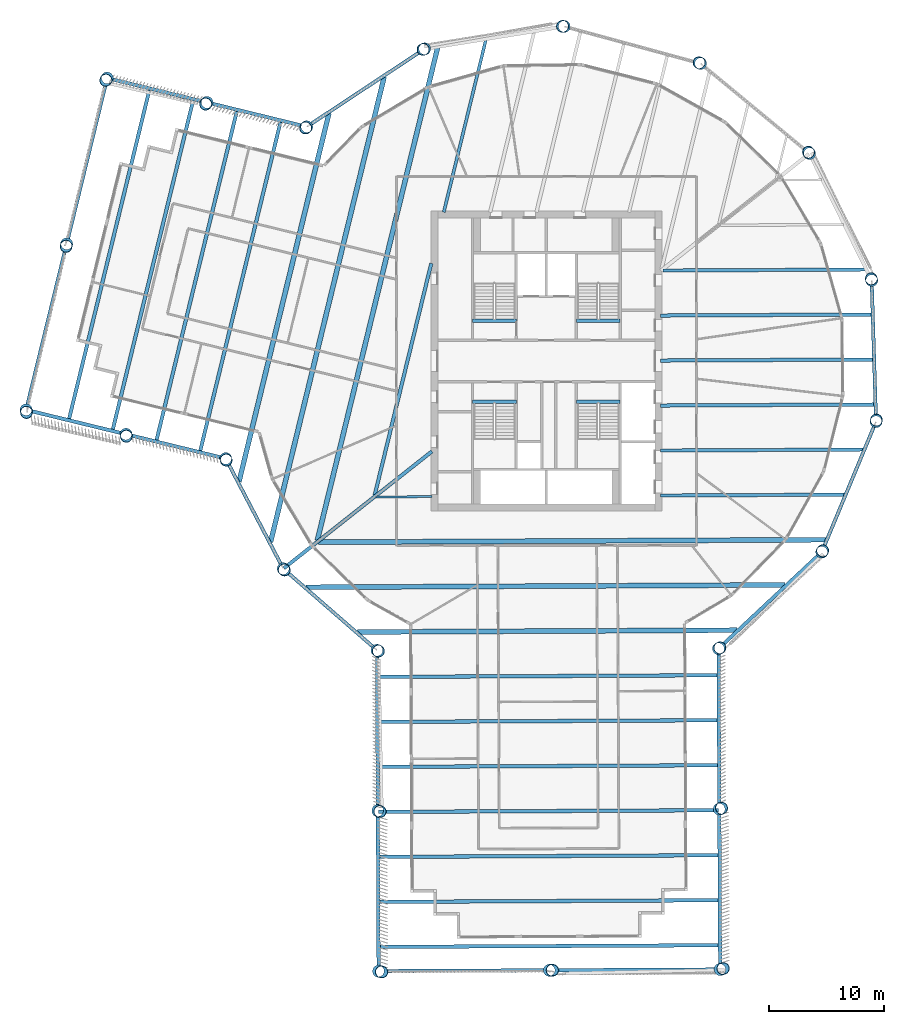
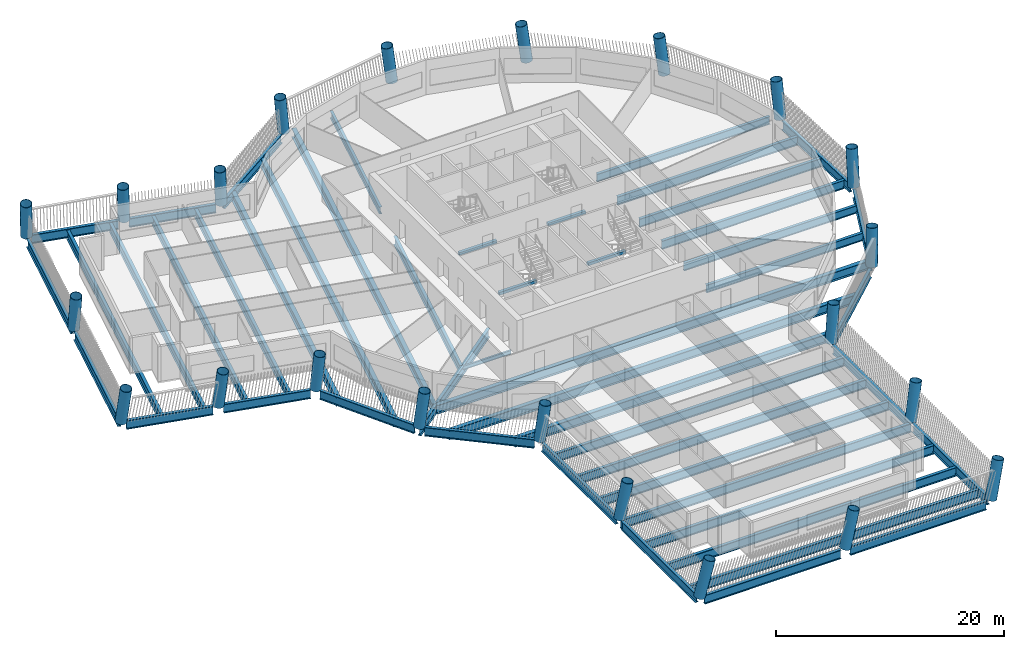
# One storey, part 1 of 15: 49 beams, 22 columns.
"""IFC4 building model written with IfcOpenShell, lengths in metres."""

from ifc_helpers import new_model, si_unit, direction, frame, origin, origin_2d, place, context, subcontext, project, spatial, rectangle, hollow_circle, i_section, extrude, material, material_profile, profile_set, type_object, element, save


model = new_model("IFC4")

# Units and contexts
model_context = context("Model", 3, precision=1e-05, world=origin(), true_north=direction((0.0, 1.0)))
body_context = subcontext(model_context, "Body", "Model", "MODEL_VIEW")
ifc_project = project(units=[si_unit("LENGTHUNIT", "METRE"), si_unit("AREAUNIT", "SQUARE_METRE"), si_unit("VOLUMEUNIT", "CUBIC_METRE"), si_unit("PLANEANGLEUNIT", "RADIAN"), si_unit("MASSUNIT", "GRAM", prefix="KILO")], contexts=[model_context])

# Site, building, storey
site_placement = place(None, origin())
site = spatial("IfcSite", under=ifc_project, at=site_placement, CompositionType="ELEMENT")
building_placement = place(site_placement, origin())
building = spatial("IfcBuilding", under=site, at=building_placement, Name="Tarsis Ring Headquarters", CompositionType="ELEMENT")
storey_placement = place(building_placement, frame((0.0, 0.0, 227.699951171875)))
storey = spatial("IfcBuildingStorey", under=building, at=storey_placement, Name="L53", CompositionType="ELEMENT", Elevation=227.699951171875)

# Columns
ifc_material_1 = material(Name="Structural steel S355", Category="steel")
ifc_material_profile_1 = material_profile(ifc_material_1, hollow_circle(Radius=0.533447265625, WallThickness=0.044921875, at=origin_2d()), Name="CHS 1067x45")
ifc_profile_set_1 = profile_set([ifc_material_profile_1], Name="Structural steel S355")
column_type = type_object("IfcColumnType", Name="XC Exo column CHS 1067x45", PredefinedType="COLUMN", material=ifc_profile_set_1)
for number, where, z_axis, x_axis, name in (
    (1, (-22.802734375, -17.995849609375, 0.001220703125), (0.077507550251, -0.09652704534, 0.99230797093), (0.779740905571, 0.626102324049, 0.0), "Exo column XC5 F1"),
    (2, (-14.677490234375, -25.067626953125, 0.001220703125), (0.107403537456, -0.061657586318, 0.992301779799), (0.497867518553, 0.867253096835, 0.0), "Exo column XC5 AK"),
):
    element("IfcColumn", number, at=place(storey_placement, frame(where, z_axis=z_axis, x_axis=x_axis)), inside=storey, type_object=column_type, Name=name, PredefinedType="COLUMN", context=body_context, shape_type="SweptSolid", body=[
        extrude(hollow_circle(Radius=0.533447265625, WallThickness=0.044921875, at=origin_2d()), origin(), (0.0, 0.0, 1.0), 3.927978515625),
    ])
column_1_placement = place(storey_placement, frame((-14.609619140625, -38.9697265625, 0.00146484375), z_axis=(0.165328992653, -0.060371907425, 0.98438892567), x_axis=(0.343008675328, 0.9393322355, 0.0)))
element("IfcColumn", 3, at=column_1_placement, inside=storey, type_object=column_type, Name="Exo column XC5 AI1", PredefinedType="COLUMN", context=body_context, shape_type="SweptSolid", body=[
    extrude(hollow_circle(Radius=0.533447265625, WallThickness=0.044921875, at=origin_2d()), origin(), (0.0, 0.0, 1.0), 3.958984375),
])
column_2_placement = place(storey_placement, frame((-14.54150390625, -52.871826171875, 0.001708984375), z_axis=(0.221612324998, -0.058970588408, 0.973350115381), x_axis=(0.257149522333, 0.966371627876, 0.0)))
element("IfcColumn", 4, at=column_2_placement, inside=storey, type_object=column_type, Name="Exo column XC5 AT1", PredefinedType="COLUMN", context=body_context, shape_type="SweptSolid", body=[
    extrude(hollow_circle(Radius=0.533447265625, WallThickness=0.044921875, at=origin_2d()), origin(), (0.0, 0.0, 1.0), 4.00341796875),
])
column_3_placement = place(storey_placement, frame((0.25830078125, -52.79931640625, 0.001708984375), z_axis=(0.22124249128, 0.002932791931, 0.975214416825), x_axis=(-0.013254842097, 0.999912150722, 0.0)))
element("IfcColumn", 5, at=column_3_placement, inside=storey, type_object=column_type, Name="Exo column XC5 AT2", PredefinedType="COLUMN", context=body_context, shape_type="SweptSolid", body=[
    extrude(hollow_circle(Radius=0.533447265625, WallThickness=0.044921875, at=origin_2d()), origin(), (0.0, 0.0, 1.0), 3.995849609375),
])
column_4_placement = place(storey_placement, frame((15.058349609375, -52.72705078125, 0.001708984375), z_axis=(0.219908006092, 0.064825904181, 0.973364305388), x_axis=(-0.282756720107, 0.959191658238, 0.0)))
element("IfcColumn", 6, at=column_4_placement, inside=storey, type_object=column_type, Name="Exo column XC5 AT3", PredefinedType="COLUMN", context=body_context, shape_type="SweptSolid", body=[
    extrude(hollow_circle(Radius=0.533447265625, WallThickness=0.044921875, at=origin_2d()), origin(), (0.0, 0.0, 1.0), 4.00341796875),
])
column_5_placement = place(storey_placement, frame((14.990234375, -38.824951171875, 0.00146484375), z_axis=(0.163663327847, 0.064811664494, 0.984384967004), x_axis=(-0.368187260739, 0.929751655567, 0.0)))
element("IfcColumn", 7, at=column_5_placement, inside=storey, type_object=column_type, Name="Exo column XC5 AO1", PredefinedType="COLUMN", context=body_context, shape_type="SweptSolid", body=[
    extrude(hollow_circle(Radius=0.533447265625, WallThickness=0.044921875, at=origin_2d()), origin(), (0.0, 0.0, 1.0), 3.958984375),
])
for number, where, z_axis, x_axis, name in (
    (8, (14.922119140625, -24.9228515625, 0.001220703125), (0.10572519442, 0.064516608941, 0.992300252159), (-0.520901833454, 0.853616588349, 0.0), "Exo column XC5 AJ"),
    (9, (23.868408203125, -16.556396484375, 0.001220703125), (0.069737518907, 0.102368710909, 0.992299010119), (-0.82645021781, 0.563009802297, 0.0), "Exo column XC5 R1"),
    (10, (28.57080078125, -5.24609375, 0.001220703125), (0.021381353441, 0.121948300731, 0.992306126996), (-0.9849750077, 0.172696943246, 0.0), "Exo column XC5 R2"),
    (11, (28.193359375, 6.996826171875, 0.001220703125), (-0.03082874147, 0.119958610963, 0.992300116071), (-0.968527505568, -0.248906550654, 0.0), "Exo column XC5 R3"),
    (12, (22.802734375, 17.995849609375, 0.001220703125), (-0.077507550251, 0.09652704534, 0.99230797093), (-0.779740905571, -0.626102324049, 0.0), "Exo column XC5 R4"),
    (13, (13.35791015625, 25.794921875, 0.001220703125), (-0.11044884973, 0.056063512919, 0.992299316795), (-0.452624840982, -0.891701044816, 0.0), "Exo column XC5 R5"),
    (14, (1.537841796875, 29.0078125, 0.001220703125), (-0.123688585873, 0.005531801077, 0.992305665056), (-0.044678956942, -0.999001396799, 0.0), "Exo column XC5 R6"),
    (15, (-10.5556640625, 27.062744140625, 0.001220703125), (-0.114986743047, -0.045932542223, 0.992304514999), (0.370957900843, -0.928649684113, 0.0), "Exo column XC5 R7"),
    (16, (-20.772216796875, 20.305908203125, 0.001220703125), (-0.085835944359, -0.089254464953, 0.992303295944), (0.720775191607, -0.693168899449, 0.0), "Exo column XC5 BJ"),
):
    element("IfcColumn", number, at=place(storey_placement, frame(where, z_axis=z_axis, x_axis=x_axis)), inside=storey, type_object=column_type, Name=name, PredefinedType="COLUMN", context=body_context, shape_type="SweptSolid", body=[
        extrude(hollow_circle(Radius=0.533447265625, WallThickness=0.044921875, at=origin_2d()), origin(), (0.0, 0.0, 1.0), 3.927978515625),
    ])
column_6_placement = place(storey_placement, frame((-29.42041015625, 22.417236328125, 0.001220703125), z_axis=(-0.094096421552, -0.125585625083, 0.987610304839), x_axis=(0.800283754965, -0.599621473548, 0.0)))
element("IfcColumn", 17, at=column_6_placement, inside=storey, type_object=column_type, Name="Exo column XC5 BO1", PredefinedType="COLUMN", context=body_context, shape_type="SweptSolid", body=[
    extrude(hollow_circle(Radius=0.533447265625, WallThickness=0.044921875, at=origin_2d()), origin(), (0.0, 0.0, 1.0), 3.9462890625),
])
column_7_placement = place(storey_placement, frame((-38.068603515625, 24.528564453125, 0.00146484375), z_axis=(-0.102138215939, -0.161355014222, 0.981596833853), x_axis=(0.844945198972, -0.534852887002, 0.0)))
element("IfcColumn", 18, at=column_7_placement, inside=storey, type_object=column_type, Name="Exo column XC5 BT3", PredefinedType="COLUMN", context=body_context, shape_type="SweptSolid", body=[
    extrude(hollow_circle(Radius=0.533447265625, WallThickness=0.044921875, at=origin_2d()), origin(), (0.0, 0.0, 1.0), 3.97021484375),
])
column_8_placement = place(storey_placement, frame((-41.578857421875, 10.15087890625, 0.00146484375), z_axis=(-0.041403351864, -0.176025857554, 0.983514443171), x_axis=(0.973435039169, -0.228963369381, 0.0)))
element("IfcColumn", 19, at=column_8_placement, inside=storey, type_object=column_type, Name="Exo column XC5 BT2", PredefinedType="COLUMN", context=body_context, shape_type="SweptSolid", body=[
    extrude(hollow_circle(Radius=0.533447265625, WallThickness=0.044921875, at=origin_2d()), origin(), (0.0, 0.0, 1.0), 3.962646484375),
])
column_9_placement = place(storey_placement, frame((-45.0888671875, -4.226806640625, 0.00146484375), z_axis=(0.019370096142, -0.189949926933, 0.981602681656), x_axis=(0.994840778063, 0.101448638747, 0.0)))
element("IfcColumn", 20, at=column_9_placement, inside=storey, type_object=column_type, Name="Exo column XC5 BT1", PredefinedType="COLUMN", context=body_context, shape_type="SweptSolid", body=[
    extrude(hollow_circle(Radius=0.533447265625, WallThickness=0.044921875, at=origin_2d()), origin(), (0.0, 0.0, 1.0), 3.97021484375),
])
column_10_placement = place(storey_placement, frame((-36.440673828125, -6.338134765625, 0.001220703125), z_axis=(0.028148625581, -0.154353452362, 0.987614634674), x_axis=(0.983775140756, 0.179405887392, 0.0)))
element("IfcColumn", 21, at=column_10_placement, inside=storey, type_object=column_type, Name="Exo column XC5 BI1", PredefinedType="COLUMN", context=body_context, shape_type="SweptSolid", body=[
    extrude(hollow_circle(Radius=0.533447265625, WallThickness=0.044921875, at=origin_2d()), origin(), (0.0, 0.0, 1.0), 3.9462890625),
])
column_11_placement = place(storey_placement, frame((-27.79248046875, -8.449462890625, 0.001220703125), z_axis=(0.036982279555, -0.118156829302, 0.992306038825), x_axis=(0.9543458898, 0.298703737207, 0.0)))
element("IfcColumn", 22, at=column_11_placement, inside=storey, type_object=column_type, Name="Exo column XC5 BK", PredefinedType="COLUMN", context=body_context, shape_type="SweptSolid", body=[
    extrude(hollow_circle(Radius=0.533447265625, WallThickness=0.044921875, at=origin_2d()), origin(), (0.0, 0.0, 1.0), 3.927978515625),
])

# Beams
ifc_material_profile_2 = material_profile(ifc_material_1, i_section(OverallWidth=0.177734375, OverallDepth=0.406494140625, WebThickness=0.0078125, FlangeThickness=0.0126953125, at=origin_2d()), Name="W16x40")
ifc_profile_set_2 = profile_set([ifc_material_profile_2], Name="Structural steel S355")
beam_type_1 = type_object("IfcBeamType", Name="FB Floor beam W16x40", PredefinedType="JOIST", material=ifc_profile_set_2)
beam_1_placement = place(storey_placement, frame((-14.766357421875, -11.772216796875, -0.363037109375), z_axis=(0.999988159762, 0.004866244494, 0.0), x_axis=(-0.004866244494, 0.999988159762, 0.0)))
element("IfcBeam", 23, at=beam_1_placement, inside=storey, type_object=beam_type_1, Name="Floor beam FB1", PredefinedType="JOIST", context=body_context, shape_type="SweptSolid", body=[
    extrude(i_section(OverallWidth=0.177734375, OverallDepth=0.406494140625, WebThickness=0.0078125, FlangeThickness=0.0126953125, at=origin_2d()), origin(), (0.0, 0.0, 1.0), 4.866455078125),
])
ifc_material_profile_3 = material_profile(ifc_material_1, i_section(OverallWidth=0.2666015625, OverallDepth=0.7568359375, WebThickness=0.013916015625, FlangeThickness=0.019287109375, at=origin_2d()), Name="W30x108")
ifc_profile_set_3 = profile_set([ifc_material_profile_3], Name="Structural steel S355")
beam_type_2 = type_object("IfcBeamType", Name="FB Floor beam W30x108", PredefinedType="JOIST", material=ifc_profile_set_3)
beam_2_placement = place(storey_placement, frame((-5.243408203125, 27.853515625, -0.538330078125), z_axis=(-0.237179308945, -0.971465889987, 0.0), x_axis=(0.971465889987, -0.237179308945, 0.0)))
element("IfcBeam", 24, at=beam_2_placement, inside=storey, type_object=beam_type_2, Name="Floor beam FB6", PredefinedType="JOIST", context=body_context, shape_type="SweptSolid", body=[
    extrude(i_section(OverallWidth=0.2666015625, OverallDepth=0.7568359375, WebThickness=0.013916015625, FlangeThickness=0.019287109375, at=origin_2d()), origin(), (0.0, 0.0, 1.0), 15.389892578125),
])
ifc_material_profile_4 = material_profile(ifc_material_1, i_section(OverallWidth=0.2919921875, OverallDepth=0.835693359375, WebThickness=0.013916015625, FlangeThickness=0.018798828125, at=origin_2d()), Name="W33x118")
ifc_profile_set_4 = profile_set([ifc_material_profile_4], Name="Structural steel S355")
beam_type_3 = type_object("IfcBeamType", Name="FB Floor beam W33x118", PredefinedType="JOIST", material=ifc_profile_set_4)
beam_3_placement = place(storey_placement, frame((10.096923828125, 7.849365234375, -0.577880859375), z_axis=(0.999988030653, 0.004892703763, 0.0), x_axis=(-0.004892703763, 0.999988030653, 0.0)))
element("IfcBeam", 25, at=beam_3_placement, inside=storey, type_object=beam_type_3, Name="Floor beam FB7", PredefinedType="JOIST", context=body_context, shape_type="SweptSolid", body=[
    extrude(i_section(OverallWidth=0.2919921875, OverallDepth=0.835693359375, WebThickness=0.013916015625, FlangeThickness=0.018798828125, at=origin_2d()), origin(), (0.0, 0.0, 1.0), 17.564453125),
])
beam_4_placement = place(storey_placement, frame((9.89990234375, -7.751708984375, -0.577880859375), z_axis=(0.999988075116, 0.004883607842, 0.0), x_axis=(-0.004883607842, 0.999988075116, 0.0)))
element("IfcBeam", 26, at=beam_4_placement, inside=storey, type_object=beam_type_3, Name="Floor beam FB7", PredefinedType="JOIST", context=body_context, shape_type="SweptSolid", body=[
    extrude(i_section(OverallWidth=0.2919921875, OverallDepth=0.835693359375, WebThickness=0.013916015625, FlangeThickness=0.018798828125, at=origin_2d()), origin(), (0.0, 0.0, 1.0), 17.59716796875),
])
beam_5_placement = place(storey_placement, frame((9.89990234375, -11.65185546875, -0.577880859375), z_axis=(0.999988037704, 0.004891262451, 0.0), x_axis=(-0.004891262451, 0.999988037704, 0.0)))
element("IfcBeam", 27, at=beam_5_placement, inside=storey, type_object=beam_type_3, Name="Floor beam FB7", PredefinedType="JOIST", context=body_context, shape_type="SweptSolid", body=[
    extrude(i_section(OverallWidth=0.2919921875, OverallDepth=0.835693359375, WebThickness=0.013916015625, FlangeThickness=0.018798828125, at=origin_2d()), origin(), (0.0, 0.0, 1.0), 15.972412109375),
])
ifc_material_profile_5 = material_profile(ifc_material_1, i_section(OverallWidth=0.3046875, OverallDepth=0.904296875, WebThickness=0.01513671875, FlangeThickness=0.02001953125, at=origin_2d()), Name="W36x135")
ifc_profile_set_5 = profile_set([ifc_material_profile_5], Name="Structural steel S355")
beam_type_4 = type_object("IfcBeamType", Name="FB Floor beam W36x135", PredefinedType="JOIST", material=ifc_profile_set_5)
beam_6_placement = place(storey_placement, frame((9.89990234375, 3.948486328125, -0.612060546875), z_axis=(0.999988052722, 0.004888191153, 0.0), x_axis=(-0.004888191153, 0.999988052722, 0.0)))
element("IfcBeam", 28, at=beam_6_placement, inside=storey, type_object=beam_type_4, Name="Floor beam FB8", PredefinedType="JOIST", context=body_context, shape_type="SweptSolid", body=[
    extrude(i_section(OverallWidth=0.3046875, OverallDepth=0.904296875, WebThickness=0.01513671875, FlangeThickness=0.02001953125, at=origin_2d()), origin(), (0.0, 0.0, 1.0), 18.329833984375),
])
beam_7_placement = place(storey_placement, frame((9.89990234375, 0.04833984375, -0.612060546875), z_axis=(0.999988079221, 0.004882767215, 0.0), x_axis=(-0.004882767215, 0.999988079221, 0.0)))
element("IfcBeam", 29, at=beam_7_placement, inside=storey, type_object=beam_type_4, Name="Floor beam FB8", PredefinedType="JOIST", context=body_context, shape_type="SweptSolid", body=[
    extrude(i_section(OverallWidth=0.3046875, OverallDepth=0.904296875, WebThickness=0.01513671875, FlangeThickness=0.02001953125, at=origin_2d()), origin(), (0.0, 0.0, 1.0), 18.4501953125),
])
beam_8_placement = place(storey_placement, frame((9.89990234375, -3.8515625, -0.612060546875), z_axis=(0.999988105035, 0.004877477709, 0.0), x_axis=(-0.004877477709, 0.999988105035, 0.0)))
element("IfcBeam", 30, at=beam_8_placement, inside=storey, type_object=beam_type_4, Name="Floor beam FB8", PredefinedType="JOIST", context=body_context, shape_type="SweptSolid", body=[
    extrude(i_section(OverallWidth=0.3046875, OverallDepth=0.904296875, WebThickness=0.01513671875, FlangeThickness=0.02001953125, at=origin_2d()), origin(), (0.0, 0.0, 1.0), 18.5703125),
])
beam_9_placement = place(storey_placement, frame((-9.976318359375, 8.4677734375, -0.612060546875), z_axis=(-0.237180076405, -0.971465702615, 0.0), x_axis=(0.971465702615, -0.237180076405, 0.0)))
element("IfcBeam", 31, at=beam_9_placement, inside=storey, type_object=beam_type_4, Name="Floor beam FB8", PredefinedType="JOIST", context=body_context, shape_type="SweptSolid", body=[
    extrude(i_section(OverallWidth=0.3046875, OverallDepth=0.904296875, WebThickness=0.01513671875, FlangeThickness=0.02001953125, at=origin_2d()), origin(), (0.0, 0.0, 1.0), 20.68359375),
])
ifc_material_profile_6 = material_profile(ifc_material_1, i_section(OverallWidth=0.309814453125, OverallDepth=0.949951171875, WebThickness=0.0244140625, FlangeThickness=0.0439453125, at=origin_2d()), Name="W36x256")
ifc_profile_set_6 = profile_set([ifc_material_profile_6], Name="Structural steel S355")
beam_type_5 = type_object("IfcBeamType", Name="FB Floor beam W36x256", PredefinedType="JOIST", material=ifc_profile_set_6)
for number, where, z_axis, x_axis, name in (
    (32, (-14.611572265625, -27.371826171875, -0.635009765625), (0.999988030522, 0.004892730574, 0.0), (-0.004892730574, 0.999988030522, 0.0), "Floor beam FB11"),
    (33, (-14.59228515625, -31.271728515625, -0.635009765625), (0.999988070993, 0.00488445204, 0.0), (-0.00488445204, 0.999988070993, 0.0), "Floor beam FB11"),
    (34, (-14.5732421875, -35.171630859375, -0.635009765625), (0.999988070993, 0.00488445204, 0.0), (-0.00488445204, 0.999988070993, 0.0), "Floor beam FB11"),
    (35, (-14.55419921875, -39.071533203125, -0.635009765625), (0.999988070993, 0.00488445204, 0.0), (-0.00488445204, 0.999988070993, 0.0), "Floor beam FB11"),
    (36, (-14.53515625, -42.971435546875, -0.635009765625), (0.999988070993, 0.00488445204, 0.0), (-0.00488445204, 0.999988070993, 0.0), "Floor beam FB11"),
    (37, (-14.51611328125, -46.87158203125, -0.635009765625), (0.999988030522, 0.004892730574, 0.0), (-0.004892730574, 0.999988030522, 0.0), "Floor beam FB11"),
    (38, (-14.4970703125, -50.771484375, -0.635009765625), (0.999988070993, 0.00488445204, 0.0), (-0.00488445204, 0.999988070993, 0.0), "Floor beam FB11"),
):
    element("IfcBeam", number, at=place(storey_placement, frame(where, z_axis=z_axis, x_axis=x_axis)), inside=storey, type_object=beam_type_5, Name=name, PredefinedType="JOIST", context=body_context, shape_type="SweptSolid", body=[
        extrude(i_section(OverallWidth=0.309814453125, OverallDepth=0.949951171875, WebThickness=0.0244140625, FlangeThickness=0.0439453125, at=origin_2d()), origin(), (0.0, 0.0, 1.0), 29.489990234375),
    ])
for number, where, z_axis, x_axis, name in (
    (39, (-23.02392578125, 20.79931640625, -0.635009765625), (-0.23717705925, -0.971466439238, 0.0), (0.971466439238, -0.23717705925, 0.0), "Floor beam FB11"),
    (40, (-26.8125, 21.724365234375, -0.635009765625), (-0.23717705925, -0.971466439238, 0.0), (0.971466439238, -0.23717705925, 0.0), "Floor beam FB11"),
    (41, (-30.601318359375, 22.649169921875, -0.635009765625), (-0.23717705925, -0.971466439238, 0.0), (0.971466439238, -0.23717705925, 0.0), "Floor beam FB11"),
    (42, (-34.389892578125, 23.57421875, -0.635009765625), (-0.23717705925, -0.971466439238, 0.0), (0.971466439238, -0.23717705925, 0.0), "Floor beam FB11"),
):
    element("IfcBeam", number, at=place(storey_placement, frame(where, z_axis=z_axis, x_axis=x_axis)), inside=storey, type_object=beam_type_5, Name=name, PredefinedType="JOIST", context=body_context, shape_type="SweptSolid", body=[
        extrude(i_section(OverallWidth=0.309814453125, OverallDepth=0.949951171875, WebThickness=0.0244140625, FlangeThickness=0.0439453125, at=origin_2d()), origin(), (0.0, 0.0, 1.0), 29.490234375),
    ])
beam_type_6 = type_object("IfcBeamType", Name="FB Floor beam W36x256 spine", PredefinedType="BEAM", material=ifc_profile_set_6)
beam_10_placement = place(storey_placement, frame((-9.92138671875, -7.829833984375, -0.635009765625), z_axis=(-0.784992819868, -0.619504860962, 0.0), x_axis=(0.619504860962, -0.784992819868, 0.0)))
element("IfcBeam", 43, at=beam_10_placement, inside=storey, type_object=beam_type_6, Name="Floor beam SB11", PredefinedType="BEAM", context=body_context, shape_type="SweptSolid", body=[
    extrude(i_section(OverallWidth=0.309814453125, OverallDepth=0.949951171875, WebThickness=0.0244140625, FlangeThickness=0.0439453125, at=origin_2d()), origin(), (0.0, 0.0, 1.0), 16.35205078125),
])
ifc_material_profile_7 = material_profile(ifc_material_1, i_section(OverallWidth=0.42431640625, OverallDepth=0.947509765625, WebThickness=0.02392578125, FlangeThickness=0.042724609375, at=origin_2d()), Name="W36x302")
ifc_profile_set_7 = profile_set([ifc_material_profile_7], Name="Structural steel S355")
beam_type_7 = type_object("IfcBeamType", Name="FB Floor beam W36x302", PredefinedType="JOIST", material=ifc_profile_set_7)
beam_11_placement = place(storey_placement, frame((-19.739013671875, -15.696533203125, -0.633544921875), z_axis=(0.999988071873, 0.00488427192, 0.0), x_axis=(-0.00488427192, 0.999988071873, 0.0)))
element("IfcBeam", 44, at=beam_11_placement, inside=storey, type_object=beam_type_7, Name="Floor beam FB12", PredefinedType="JOIST", context=body_context, shape_type="SweptSolid", body=[
    extrude(i_section(OverallWidth=0.42431640625, OverallDepth=0.947509765625, WebThickness=0.02392578125, FlangeThickness=0.042724609375, at=origin_2d()), origin(), (0.0, 0.0, 1.0), 43.98681640625),
])
beam_12_placement = place(storey_placement, frame((-20.82177734375, -19.60205078125, -0.633544921875), z_axis=(0.999988063888, 0.004885906438, 0.0), x_axis=(-0.004885906438, 0.999988063888, 0.0)))
element("IfcBeam", 45, at=beam_12_placement, inside=storey, type_object=beam_type_7, Name="Floor beam FB12", PredefinedType="JOIST", context=body_context, shape_type="SweptSolid", body=[
    extrude(i_section(OverallWidth=0.42431640625, OverallDepth=0.947509765625, WebThickness=0.02392578125, FlangeThickness=0.042724609375, at=origin_2d()), origin(), (0.0, 0.0, 1.0), 41.523681640625),
])
beam_13_placement = place(storey_placement, frame((-16.365966796875, -23.480224609375, -0.633544921875), z_axis=(0.999988061147, 0.004886467326, 0.0), x_axis=(-0.004886467326, 0.999988061147, 0.0)))
element("IfcBeam", 46, at=beam_13_placement, inside=storey, type_object=beam_type_7, Name="Floor beam FB12", PredefinedType="JOIST", context=body_context, shape_type="SweptSolid", body=[
    extrude(i_section(OverallWidth=0.42431640625, OverallDepth=0.947509765625, WebThickness=0.02392578125, FlangeThickness=0.042724609375, at=origin_2d()), origin(), (0.0, 0.0, 1.0), 32.87548828125),
])
beam_14_placement = place(storey_placement, frame((-9.422119140625, 27.181640625, -0.633544921875), z_axis=(-0.237176198577, -0.971466649365, 0.0), x_axis=(0.971466649365, -0.237176198577, 0.0)))
element("IfcBeam", 47, at=beam_14_placement, inside=storey, type_object=beam_type_7, Name="Floor beam FB12", PredefinedType="JOIST", context=body_context, shape_type="SweptSolid", body=[
    extrude(i_section(OverallWidth=0.42431640625, OverallDepth=0.947509765625, WebThickness=0.02392578125, FlangeThickness=0.042724609375, at=origin_2d()), origin(), (0.0, 0.0, 1.0), 43.98681640625),
])
beam_15_placement = place(storey_placement, frame((-14.05615234375, 24.643310546875, -0.633544921875), z_axis=(-0.237180857657, -0.971465511874, 0.0), x_axis=(0.971465511874, -0.237180857657, 0.0)))
element("IfcBeam", 48, at=beam_15_placement, inside=storey, type_object=beam_type_7, Name="Floor beam FB12", PredefinedType="JOIST", context=body_context, shape_type="SweptSolid", body=[
    extrude(i_section(OverallWidth=0.42431640625, OverallDepth=0.947509765625, WebThickness=0.02392578125, FlangeThickness=0.042724609375, at=origin_2d()), origin(), (0.0, 0.0, 1.0), 41.523681640625),
])
beam_16_placement = place(storey_placement, frame((-18.84375, 21.47705078125, -0.633544921875), z_axis=(-0.237179787219, -0.971465773218, 0.0), x_axis=(0.971465773218, -0.237179787219, 0.0)))
element("IfcBeam", 49, at=beam_16_placement, inside=storey, type_object=beam_type_7, Name="Floor beam FB12", PredefinedType="JOIST", context=body_context, shape_type="SweptSolid", body=[
    extrude(i_section(OverallWidth=0.42431640625, OverallDepth=0.947509765625, WebThickness=0.02392578125, FlangeThickness=0.042724609375, at=origin_2d()), origin(), (0.0, 0.0, 1.0), 32.875244140625),
])
ifc_material_2 = material(Name="Concrete C40/50", Category="concrete")
ifc_material_profile_8 = material_profile(ifc_material_2, rectangle(XDim=0.300048828125, YDim=0.300048828125, at=origin_2d()), Name="Stair head beam 300x300 C40/50")
ifc_profile_set_8 = profile_set([ifc_material_profile_8], Name="Concrete C40/50")
beam_type_8 = type_object("IfcBeamType", Name="Stair head beam 300x300 C40/50", PredefinedType="BEAM", material=ifc_profile_set_8)
for number, where, z_axis, x_axis, name in (
    (50, (-6.39990234375, 3.510009765625, -0.31005859375), (1.0, 0.0, 0.0), (0.0, 1.0, 0.0), "Stair head beam L53 Firefighting stair"),
    (51, (2.60009765625, 3.510009765625, -0.31005859375), (1.0, 0.0, 0.0), (0.0, 1.0, 0.0), "Stair head beam L53 Exit stair B"),
    (52, (-6.39990234375, -3.510009765625, -0.31005859375), (1.0, 0.0, 0.0), (0.0, 1.0, 0.0), "Stair head beam L53 Exit stair C"),
    (53, (2.60009765625, -3.510009765625, -0.31005859375), (1.0, 0.0, 0.0), (0.0, 1.0, 0.0), "Stair head beam L53 Exit stair D"),
):
    element("IfcBeam", number, at=place(storey_placement, frame(where, z_axis=z_axis, x_axis=x_axis)), inside=storey, type_object=beam_type_8, Name=name, PredefinedType="BEAM", context=body_context, shape_type="SweptSolid", body=[
        extrude(rectangle(XDim=0.300048828125, YDim=0.300048828125, at=origin_2d()), origin(), (0.0, 0.0, 1.0), 3.7998046875),
    ])
beam_type_9 = type_object("IfcBeamType", Name="XG Ring girder W36x256", PredefinedType="BEAM", material=ifc_profile_set_6)
beam_17_placement = place(storey_placement, frame((-22.440673828125, -18.310791015625, -0.474853515625), z_axis=(0.754297417191, -0.656532867737, 0.0), x_axis=(0.656532867737, 0.754297417191, 0.0)))
element("IfcBeam", 54, at=beam_17_placement, inside=storey, type_object=beam_type_9, Name="Ring girder XG2", PredefinedType="BEAM", context=body_context, shape_type="SweptSolid", body=[
    extrude(i_section(OverallWidth=0.309814453125, OverallDepth=0.949951171875, WebThickness=0.0244140625, FlangeThickness=0.0439453125, at=origin_2d()), origin(), (0.0, 0.0, 1.0), 9.8115234375),
])
for number, where, z_axis, x_axis, name in (
    (55, (-14.67529296875, -25.547607421875, -0.474853515625), (0.004885812274, -0.999988064348, 0.0), (0.999988064348, 0.004885812274, 0.0), "Ring girder XG2"),
    (56, (-14.607421875, -39.44970703125, -0.474853515625), (0.004885812274, -0.999988064348, 0.0), (0.999988064348, 0.004885812274, 0.0), "Ring girder XG2"),
):
    element("IfcBeam", number, at=place(storey_placement, frame(where, z_axis=z_axis, x_axis=x_axis)), inside=storey, type_object=beam_type_9, Name=name, PredefinedType="BEAM", context=body_context, shape_type="SweptSolid", body=[
        extrude(i_section(OverallWidth=0.309814453125, OverallDepth=0.949951171875, WebThickness=0.0244140625, FlangeThickness=0.0439453125, at=origin_2d()), origin(), (0.0, 0.0, 1.0), 12.942138671875),
    ])
for number, where, z_axis, x_axis, name in (
    (57, (-14.061767578125, -52.869384765625, -0.474853515625), (0.999988061782, 0.004886337375, 0.0), (-0.004886337375, 0.999988061782, 0.0), "Ring girder XG2"),
    (58, (0.738037109375, -52.797119140625, -0.474853515625), (0.999988061782, 0.004886337375, 0.0), (-0.004886337375, 0.999988061782, 0.0), "Ring girder XG2"),
):
    element("IfcBeam", number, at=place(storey_placement, frame(where, z_axis=z_axis, x_axis=x_axis)), inside=storey, type_object=beam_type_9, Name=name, PredefinedType="BEAM", context=body_context, shape_type="SweptSolid", body=[
        extrude(i_section(OverallWidth=0.309814453125, OverallDepth=0.949951171875, WebThickness=0.0244140625, FlangeThickness=0.0439453125, at=origin_2d()), origin(), (0.0, 0.0, 1.0), 13.840087890625),
    ])
for number, where, z_axis, x_axis, name in (
    (59, (15.055419921875, -52.2470703125, -0.474853515625), (-0.004885720111, 0.999988064798, 0.0), (-0.999988064798, -0.004885720111, 0.0), "Ring girder XG2"),
    (60, (14.987548828125, -38.344970703125, -0.474853515625), (-0.004885720111, 0.999988064798, 0.0), (-0.999988064798, -0.004885720111, 0.0), "Ring girder XG2"),
):
    element("IfcBeam", number, at=place(storey_placement, frame(where, z_axis=z_axis, x_axis=x_axis)), inside=storey, type_object=beam_type_9, Name=name, PredefinedType="BEAM", context=body_context, shape_type="SweptSolid", body=[
        extrude(i_section(OverallWidth=0.309814453125, OverallDepth=0.949951171875, WebThickness=0.0244140625, FlangeThickness=0.0439453125, at=origin_2d()), origin(), (0.0, 0.0, 1.0), 12.9423828125),
    ])
beam_18_placement = place(storey_placement, frame((15.272705078125, -24.594970703125, -0.474853515625), z_axis=(0.730391827666, 0.683028387462, 0.0), x_axis=(-0.683028387462, 0.730391827666, 0.0)))
element("IfcBeam", 61, at=beam_18_placement, inside=storey, type_object=beam_type_9, Name="Ring girder XG2", PredefinedType="BEAM", context=body_context, shape_type="SweptSolid", body=[
    extrude(i_section(OverallWidth=0.309814453125, OverallDepth=0.949951171875, WebThickness=0.0244140625, FlangeThickness=0.0439453125, at=origin_2d()), origin(), (0.0, 0.0, 1.0), 11.28857421875),
])
beam_19_placement = place(storey_placement, frame((24.052734375, -16.11328125, -0.474853515625), z_axis=(0.383896594217, 0.923376090739, 0.0), x_axis=(-0.923376090739, 0.383896594217, 0.0)))
element("IfcBeam", 62, at=beam_19_placement, inside=storey, type_object=beam_type_9, Name="Ring girder XG2", PredefinedType="BEAM", context=body_context, shape_type="SweptSolid", body=[
    extrude(i_section(OverallWidth=0.309814453125, OverallDepth=0.949951171875, WebThickness=0.0244140625, FlangeThickness=0.0439453125, at=origin_2d()), origin(), (0.0, 0.0, 1.0), 11.288818359375),
])
beam_20_placement = place(storey_placement, frame((28.55615234375, -4.766357421875, -0.474853515625), z_axis=(-0.030840437968, 0.999524320558, 0.0), x_axis=(-0.999524320558, -0.030840437968, 0.0)))
element("IfcBeam", 63, at=beam_20_placement, inside=storey, type_object=beam_type_9, Name="Ring girder XG2", PredefinedType="BEAM", context=body_context, shape_type="SweptSolid", body=[
    extrude(i_section(OverallWidth=0.309814453125, OverallDepth=0.949951171875, WebThickness=0.0244140625, FlangeThickness=0.0439453125, at=origin_2d()), origin(), (0.0, 0.0, 1.0), 11.28857421875),
])
beam_21_placement = place(storey_placement, frame((-10.955810546875, 26.798095703125, -0.474853515625), z_axis=(-0.834084251852, -0.551637073457, 0.0), x_axis=(0.551637073457, -0.834084251852, 0.0)))
element("IfcBeam", 64, at=beam_21_placement, inside=storey, type_object=beam_type_9, Name="Ring girder XG2", PredefinedType="BEAM", context=body_context, shape_type="SweptSolid", body=[
    extrude(i_section(OverallWidth=0.309814453125, OverallDepth=0.949951171875, WebThickness=0.0244140625, FlangeThickness=0.0439453125, at=origin_2d()), origin(), (0.0, 0.0, 1.0), 11.288818359375),
])
beam_22_placement = place(storey_placement, frame((-21.238525390625, 20.419921875, -0.474853515625), z_axis=(-0.971462315194, 0.237193950511, 0.0), x_axis=(-0.237193950511, -0.971462315194, 0.0)))
element("IfcBeam", 65, at=beam_22_placement, inside=storey, type_object=beam_type_9, Name="Ring girder XG2", PredefinedType="BEAM", context=body_context, shape_type="SweptSolid", body=[
    extrude(i_section(OverallWidth=0.309814453125, OverallDepth=0.949951171875, WebThickness=0.0244140625, FlangeThickness=0.0439453125, at=origin_2d()), origin(), (0.0, 0.0, 1.0), 7.94189453125),
])
beam_23_placement = place(storey_placement, frame((-29.88671875, 22.53125, -0.474853515625), z_axis=(-0.971464044608, 0.237186867329, 0.0), x_axis=(-0.237186867329, -0.971464044608, 0.0)))
element("IfcBeam", 66, at=beam_23_placement, inside=storey, type_object=beam_type_9, Name="Ring girder XG2", PredefinedType="BEAM", context=body_context, shape_type="SweptSolid", body=[
    extrude(i_section(OverallWidth=0.309814453125, OverallDepth=0.949951171875, WebThickness=0.0244140625, FlangeThickness=0.0439453125, at=origin_2d()), origin(), (0.0, 0.0, 1.0), 7.942138671875),
])
for number, where, z_axis, x_axis, name in (
    (67, (-38.182373046875, 24.0625, -0.474853515625), (-0.237173433855, -0.971467324347, 0.0), (0.971467324347, -0.237173433855, 0.0), "Ring girder XG2"),
    (68, (-41.692626953125, 9.684814453125, -0.474853515625), (-0.237173433855, -0.971467324347, 0.0), (0.971467324347, -0.237173433855, 0.0), "Ring girder XG2"),
):
    element("IfcBeam", number, at=place(storey_placement, frame(where, z_axis=z_axis, x_axis=x_axis)), inside=storey, type_object=beam_type_9, Name=name, PredefinedType="BEAM", context=body_context, shape_type="SweptSolid", body=[
        extrude(i_section(OverallWidth=0.309814453125, OverallDepth=0.949951171875, WebThickness=0.0244140625, FlangeThickness=0.0439453125, at=origin_2d()), origin(), (0.0, 0.0, 1.0), 13.83984375),
    ])
beam_24_placement = place(storey_placement, frame((-44.62255859375, -4.34033203125, -0.474853515625), z_axis=(0.971462315194, -0.237193950511, 0.0), x_axis=(0.237193950511, 0.971462315194, 0.0)))
element("IfcBeam", 69, at=beam_24_placement, inside=storey, type_object=beam_type_9, Name="Ring girder XG2", PredefinedType="BEAM", context=body_context, shape_type="SweptSolid", body=[
    extrude(i_section(OverallWidth=0.309814453125, OverallDepth=0.949951171875, WebThickness=0.0244140625, FlangeThickness=0.0439453125, at=origin_2d()), origin(), (0.0, 0.0, 1.0), 7.94189453125),
])
beam_25_placement = place(storey_placement, frame((-35.974365234375, -6.451904296875, -0.474853515625), z_axis=(0.971471127203, -0.237157856734, 0.0), x_axis=(0.237157856734, 0.971471127203, 0.0)))
element("IfcBeam", 70, at=beam_25_placement, inside=storey, type_object=beam_type_9, Name="Ring girder XG2", PredefinedType="BEAM", context=body_context, shape_type="SweptSolid", body=[
    extrude(i_section(OverallWidth=0.309814453125, OverallDepth=0.949951171875, WebThickness=0.0244140625, FlangeThickness=0.0439453125, at=origin_2d()), origin(), (0.0, 0.0, 1.0), 7.942138671875),
])
beam_26_placement = place(storey_placement, frame((-27.570068359375, -8.874755859375, -0.474853515625), z_axis=(0.463215567599, -0.886245641983, 0.0), x_axis=(0.886245641983, 0.463215567599, 0.0)))
element("IfcBeam", 71, at=beam_26_placement, inside=storey, type_object=beam_type_9, Name="Ring girder XG2", PredefinedType="BEAM", context=body_context, shape_type="SweptSolid", body=[
    extrude(i_section(OverallWidth=0.309814453125, OverallDepth=0.949951171875, WebThickness=0.0244140625, FlangeThickness=0.0439453125, at=origin_2d()), origin(), (0.0, 0.0, 1.0), 9.811767578125),
])

save(model, "model.ifc")
